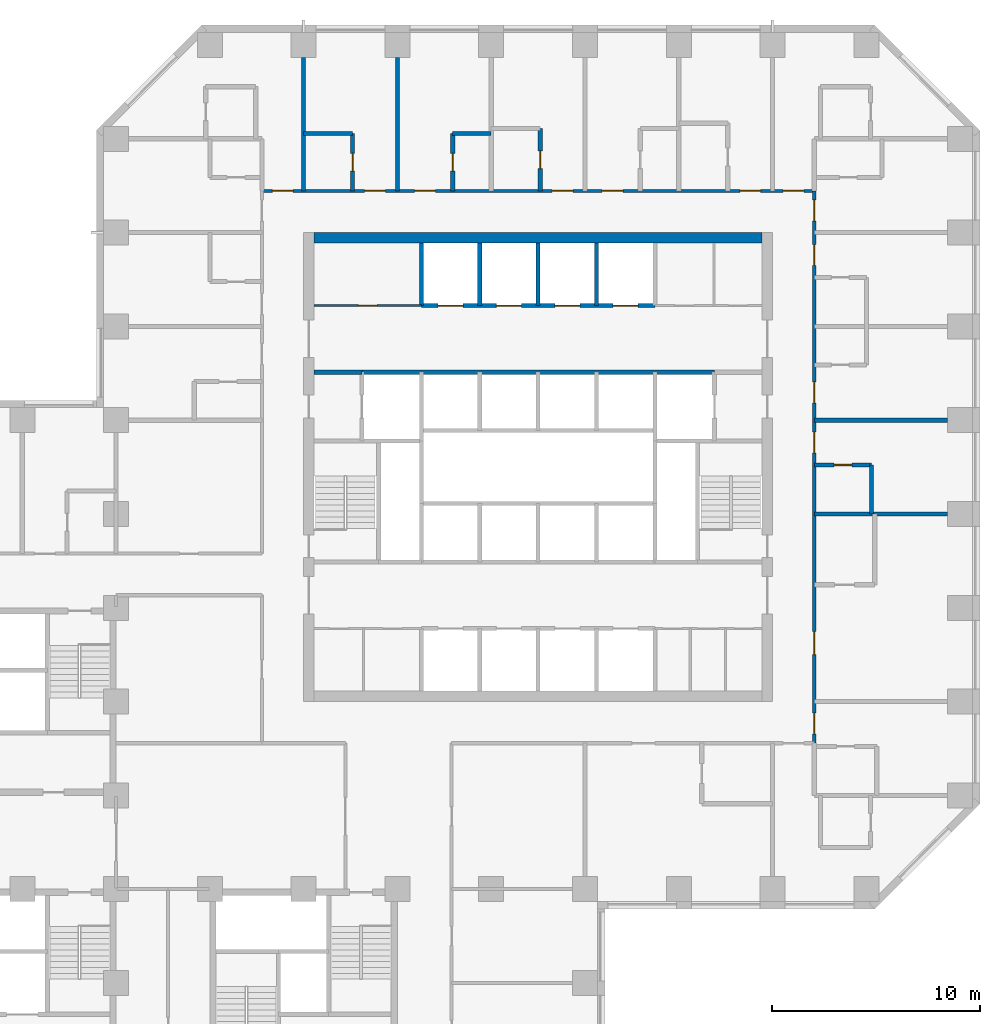
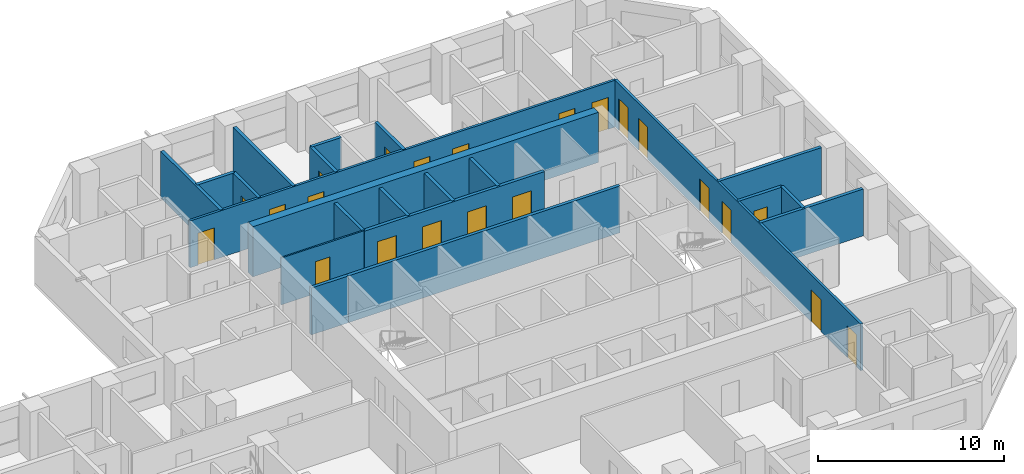
# One storey, part 9 of 13: 22 doors, 22 walls, 22 openings.
"""IFC4 building model written with IfcOpenShell, lengths in metres."""

from ifc_helpers import new_model, si_unit, direction, frame, frame_2d, origin, place, context, subcontext, project, spatial, rectangle, extrude, material, layer, layer_set, type_object, element, fill, save


model = new_model("IFC4")

# Units and contexts
model_context = context("Model", 3, precision=1e-05, world=origin(), true_north=direction((0.0, 1.0)))
body_context = subcontext(model_context, "Body", "Model", "MODEL_VIEW")
ifc_project = project(units=[si_unit("LENGTHUNIT", "METRE"), si_unit("AREAUNIT", "SQUARE_METRE"), si_unit("VOLUMEUNIT", "CUBIC_METRE"), si_unit("PLANEANGLEUNIT", "RADIAN"), si_unit("MASSUNIT", "GRAM", prefix="KILO")], contexts=[model_context])

# Site, building, storey
site_placement = place(None, origin())
site = spatial("IfcSite", under=ifc_project, at=site_placement, CompositionType="ELEMENT")
building_placement = place(site_placement, origin())
building = spatial("IfcBuilding", under=site, at=building_placement, Name="Quoin Convention Tower", CompositionType="ELEMENT")
storey_placement = place(building_placement, frame((0.0, 0.0, 23.10009765625)))
storey = spatial("IfcBuildingStorey", under=building, at=storey_placement, Name="L04", CompositionType="ELEMENT", Elevation=23.10009765625)

# Wall, opening, door
ifc_material_1 = material(Name="Plasterboard")
ifc_layer_1 = layer(ifc_material_1, 0.012451171875, Name="Finish")
ifc_material_2 = material(Name="Steel stud framing", Category="steel")
ifc_layer_2 = layer(ifc_material_2, 0.074951171875, Name="Structure")
ifc_layer_3 = layer(ifc_material_1, 0.012451171875, Name="Finish")
ifc_layer_set_1 = layer_set([ifc_layer_1, ifc_layer_2, ifc_layer_3], Name="Steel stud framing")
wall_type_1 = type_object("IfcWallType", Name="Core partition wall", PredefinedType="PARTITIONING", material=ifc_layer_set_1)
wall_1_placement = place(storey_placement, frame((45.5, 68.5, 0.0), z_axis=(0.0, 0.0, 1.0), x_axis=(1.0, 0.0, 0.0)))
wall_1 = element("IfcWall", 1, at=wall_1_placement, inside=storey, type_object=wall_type_1, Name="cr-C1-L04-h19000_500", PredefinedType="PARTITIONING", context=body_context, shape_type="SweptSolid", body=[
    extrude(rectangle(XDim=5.14990234375, YDim=0.10009765625, at=frame_2d((2.574951171875, 0.0))), origin(), (0.0, 0.0, 1.0), 3.079833984375),
])
opening_1_placement = place(wall_1_placement, frame((2.125, 0.0, 0.0)))
opening_1 = element("IfcOpeningElement", 2, at=opening_1_placement, cuts=wall_1, Name="Opening DCV2-15", PredefinedType="OPENING", context=body_context, shape_type="SweptSolid", body=[
    extrude(rectangle(XDim=0.89990234375, YDim=2.10009765625, at=frame_2d((0.449951171875, 1.050048828125))), frame((0.0, 0.06005859375, 0.0), z_axis=(0.0, -1.0, 0.0), x_axis=(1.0, 0.0, 0.0)), (0.0, 0.0, 1.0), 0.1201171875),
])
ifc_material_3 = material(Name="Steel door leaf", Category="steel")
door_type_1 = type_object("IfcDoorType", Name="Core room door 900 x 2100", OperationType="SINGLE_SWING_LEFT", PredefinedType="DOOR", material=ifc_material_3)
door_1_placement = place(opening_1_placement, origin())
door_1 = element("IfcDoor", 3, at=door_1_placement, inside=storey, type_object=door_type_1, Name="cd-C1-L04-CNW0-lobB-CD0409", OperationType="SINGLE_SWING_RIGHT", OverallHeight=2.10009765625, OverallWidth=0.89990234375, PredefinedType="DOOR", context=body_context, shape_type="SweptSolid", body=[
    extrude(rectangle(XDim=0.89990234375, YDim=2.10009765625, at=frame_2d((0.449951171875, 1.050048828125))), frame((0.0, 0.02490234375, 0.0), z_axis=(0.0, -1.0, 0.0), x_axis=(1.0, 0.0, 0.0)), (0.0, 0.0, 1.0), 0.050048828125),
])
fill(opening_1, door_1)

# Walls
ifc_material_4 = material(Name="Concrete C50", Category="concrete")
ifc_layer_4 = layer(ifc_material_4, 0.199951171875)
ifc_layer_set_2 = layer_set([ifc_layer_4], Name="Concrete C50")
wall_type_2 = type_object("IfcWallType", Name="Core shaft wall", PredefinedType="SOLIDWALL", material=ifc_layer_set_2)
wall_2_placement = place(storey_placement, frame((45.5, 65.300048828125, 0.0), z_axis=(0.0, 0.0, 1.0), x_axis=(1.0, 0.0, 0.0)))
element("IfcWall", 4, at=wall_2_placement, inside=storey, type_object=wall_type_2, Name="cr-C1-L04-h15800_500", PredefinedType="SOLIDWALL", context=body_context, shape_type="SweptSolid", body=[
    extrude(rectangle(XDim=2.300048828125, YDim=0.199951171875, at=frame_2d((1.14990234375, 0.0))), origin(), (0.0, 0.0, 1.0), 3.079833984375),
])
wall_3_placement = place(storey_placement, frame((47.800048828125, 65.300048828125, 0.0), z_axis=(0.0, 0.0, 1.0), x_axis=(1.0, 0.0, 0.0)))
element("IfcWall", 5, at=wall_3_placement, inside=storey, type_object=wall_type_2, Name="cr-C1-L04-h15800_2800", PredefinedType="SOLIDWALL", context=body_context, shape_type="SweptSolid", body=[
    extrude(rectangle(XDim=16.89990234375, YDim=0.199951171875, at=frame_2d((8.449951171875, 0.0))), origin(), (0.0, 0.0, 1.0), 3.079833984375),
])

# Wall, openings, doors
wall_4_placement = place(storey_placement, frame((50.64990234375, 68.5, 0.0), z_axis=(0.0, 0.0, 1.0), x_axis=(1.0, 0.0, 0.0)))
wall_4 = element("IfcWall", 6, at=wall_4_placement, inside=storey, type_object=wall_type_2, Name="cr-C1-L04-h19000_5650", PredefinedType="SOLIDWALL", context=body_context, shape_type="SweptSolid", body=[
    extrude(rectangle(XDim=11.2001953125, YDim=0.199951171875, at=frame_2d((5.60009765625, 0.0))), origin(), (0.0, 0.0, 1.0), 3.079833984375),
])
opening_2_placement = place(wall_4_placement, frame((0.800048828125, 0.0, 0.0)))
opening_2 = element("IfcOpeningElement", 7, at=opening_2_placement, cuts=wall_4, Name="Opening LDL5", PredefinedType="OPENING", context=body_context, shape_type="SweptSolid", body=[
    extrude(rectangle(XDim=1.199951171875, YDim=2.10009765625, at=frame_2d((0.60009765625, 1.050048828125))), frame((0.0, 0.10986328125, 0.0), z_axis=(0.0, -1.0, 0.0), x_axis=(1.0, 0.0, 0.0)), (0.0, 0.0, 1.0), 0.219970703125),
])
opening_3_placement = place(wall_4_placement, frame((3.60009765625, 0.0, 0.0)))
opening_3 = element("IfcOpeningElement", 8, at=opening_3_placement, cuts=wall_4, Name="Opening LDL6", PredefinedType="OPENING", context=body_context, shape_type="SweptSolid", body=[
    extrude(rectangle(XDim=1.199951171875, YDim=2.10009765625, at=frame_2d((0.60009765625, 1.050048828125))), frame((0.0, 0.10986328125, 0.0), z_axis=(0.0, -1.0, 0.0), x_axis=(1.0, 0.0, 0.0)), (0.0, 0.0, 1.0), 0.219970703125),
])
opening_4_placement = place(wall_4_placement, frame((6.39990234375, 0.0, 0.0)))
opening_4 = element("IfcOpeningElement", 9, at=opening_4_placement, cuts=wall_4, Name="Opening LDL7", PredefinedType="OPENING", context=body_context, shape_type="SweptSolid", body=[
    extrude(rectangle(XDim=1.199951171875, YDim=2.10009765625, at=frame_2d((0.60009765625, 1.050048828125))), frame((0.0, 0.10986328125, 0.0), z_axis=(0.0, -1.0, 0.0), x_axis=(1.0, 0.0, 0.0)), (0.0, 0.0, 1.0), 0.219970703125),
])
opening_5_placement = place(wall_4_placement, frame((9.199951171875, 0.0, 0.0)))
opening_5 = element("IfcOpeningElement", 10, at=opening_5_placement, cuts=wall_4, Name="Opening LDL8", PredefinedType="OPENING", context=body_context, shape_type="SweptSolid", body=[
    extrude(rectangle(XDim=1.199951171875, YDim=2.10009765625, at=frame_2d((0.60009765625, 1.050048828125))), frame((0.0, 0.10986328125, 0.0), z_axis=(0.0, -1.0, 0.0), x_axis=(1.0, 0.0, 0.0)), (0.0, 0.0, 1.0), 0.219970703125),
])
door_type_2 = type_object("IfcDoorType", Name="Lift landing door 1200 x 2100", OperationType="DOUBLE_DOOR_SLIDING", PredefinedType="DOOR", material=ifc_material_3)
door_2_placement = place(opening_2_placement, origin())
door_2 = element("IfcDoor", 11, at=door_2_placement, inside=storey, type_object=door_type_2, Name="cd-C1-L04-R40-lobB-LDL5", OperationType="DOUBLE_DOOR_SLIDING", OverallHeight=2.10009765625, OverallWidth=1.199951171875, PredefinedType="DOOR", context=body_context, shape_type="SweptSolid", body=[
    extrude(rectangle(XDim=1.199951171875, YDim=2.10009765625, at=frame_2d((0.60009765625, 1.050048828125))), frame((0.0, 0.02490234375, 0.0), z_axis=(0.0, -1.0, 0.0), x_axis=(1.0, 0.0, 0.0)), (0.0, 0.0, 1.0), 0.050048828125),
])
fill(opening_2, door_2)
door_3_placement = place(opening_3_placement, origin())
door_3 = element("IfcDoor", 12, at=door_3_placement, inside=storey, type_object=door_type_2, Name="cd-C1-L04-R41-lobB-LDL6", OperationType="DOUBLE_DOOR_SLIDING", OverallHeight=2.10009765625, OverallWidth=1.199951171875, PredefinedType="DOOR", context=body_context, shape_type="SweptSolid", body=[
    extrude(rectangle(XDim=1.199951171875, YDim=2.10009765625, at=frame_2d((0.60009765625, 1.050048828125))), frame((0.0, 0.02490234375, 0.0), z_axis=(0.0, -1.0, 0.0), x_axis=(1.0, 0.0, 0.0)), (0.0, 0.0, 1.0), 0.050048828125),
])
fill(opening_3, door_3)
door_4_placement = place(opening_4_placement, origin())
door_4 = element("IfcDoor", 13, at=door_4_placement, inside=storey, type_object=door_type_2, Name="cd-C1-L04-R42-lobB-LDL7", OperationType="DOUBLE_DOOR_SLIDING", OverallHeight=2.10009765625, OverallWidth=1.199951171875, PredefinedType="DOOR", context=body_context, shape_type="SweptSolid", body=[
    extrude(rectangle(XDim=1.199951171875, YDim=2.10009765625, at=frame_2d((0.60009765625, 1.050048828125))), frame((0.0, 0.02490234375, 0.0), z_axis=(0.0, -1.0, 0.0), x_axis=(1.0, 0.0, 0.0)), (0.0, 0.0, 1.0), 0.050048828125),
])
fill(opening_4, door_4)
door_5_placement = place(opening_5_placement, origin())
door_5 = element("IfcDoor", 14, at=door_5_placement, inside=storey, type_object=door_type_2, Name="cd-C1-L04-R43-lobB-LDL8", OperationType="DOUBLE_DOOR_SLIDING", OverallHeight=2.10009765625, OverallWidth=1.199951171875, PredefinedType="DOOR", context=body_context, shape_type="SweptSolid", body=[
    extrude(rectangle(XDim=1.199951171875, YDim=2.10009765625, at=frame_2d((0.60009765625, 1.050048828125))), frame((0.0, 0.02490234375, 0.0), z_axis=(0.0, -1.0, 0.0), x_axis=(1.0, 0.0, 0.0)), (0.0, 0.0, 1.0), 0.050048828125),
])
fill(opening_5, door_5)

# Walls
for number, where, z_axis, x_axis, name in (
    (15, (50.64990234375, 68.5, 0.0), (0.0, 0.0, 1.0), (0.0, 1.0, 0.0), "cr-C1-L04-v5650_19000"),
    (16, (53.449951171875, 68.5, 0.0), (0.0, 0.0, 1.0), (0.0, 1.0, 0.0), "cr-C1-L04-v8450_19000"),
    (17, (56.25, 68.5, 0.0), (0.0, 0.0, 1.0), (0.0, 1.0, 0.0), "cr-C1-L04-v11250_19000"),
    (18, (59.050048828125, 68.5, 0.0), (0.0, 0.0, 1.0), (0.0, 1.0, 0.0), "cr-C1-L04-v14050_19000"),
):
    element("IfcWall", number, at=place(storey_placement, frame(where, z_axis=z_axis, x_axis=x_axis)), inside=storey, type_object=wall_type_2, Name=name, PredefinedType="SOLIDWALL", context=body_context, shape_type="SweptSolid", body=[
        extrude(rectangle(XDim=3.0, YDim=0.199951171875, at=frame_2d((1.5, 0.0))), origin(), (0.0, 0.0, 1.0), 3.079833984375),
    ])
ifc_material_5 = material(Name="Concrete C80", Category="concrete")
ifc_layer_5 = layer(ifc_material_5, 0.5)
ifc_layer_set_3 = layer_set([ifc_layer_5], Name="Concrete C80")
wall_type_3 = type_object("IfcWallType", Name="RC CORE WALL 500 C80", PredefinedType="SHEAR", material=ifc_layer_set_3)
wall_5_placement = place(storey_placement, frame((45.5, 71.75, 0.0), z_axis=(0.0, 0.0, 1.0), x_axis=(1.0, 0.0, 0.0)))
element("IfcWall", 19, at=wall_5_placement, inside=storey, type_object=wall_type_3, Name="cwl-C1-L04-N", PredefinedType="SHEAR", context=body_context, shape_type="SweptSolid", body=[
    extrude(rectangle(XDim=21.5, YDim=0.5, at=frame_2d((10.75, 0.0))), origin(), (0.0, 0.0, 1.0), 3.2998046875),
])
ifc_layer_6 = layer(ifc_material_4, 0.199951171875)
ifc_layer_set_4 = layer_set([ifc_layer_6], Name="Concrete C50")
wall_type_4 = type_object("IfcWallType", Name="RC party wall", PredefinedType="SOLIDWALL", material=ifc_layer_set_4)
wall_6_placement = place(storey_placement, frame((69.5, 58.5, 0.0), z_axis=(0.0, 0.0, 1.0), x_axis=(1.0, 0.0, 0.0)))
element("IfcWall", 20, at=wall_6_placement, inside=storey, type_object=wall_type_4, Name="pw-L04-091", PredefinedType="SOLIDWALL", context=body_context, shape_type="SweptSolid", body=[
    extrude(rectangle(XDim=6.39990234375, YDim=0.199951171875, at=frame_2d((3.199951171875, 0.0))), origin(), (0.0, 0.0, 1.0), 3.079833984375),
])
wall_7_placement = place(storey_placement, frame((72.25, 58.5, 0.0), z_axis=(0.0, 0.0, 1.0), x_axis=(0.0, 1.0, 0.0)))
element("IfcWall", 21, at=wall_7_placement, inside=storey, type_object=wall_type_4, Name="pw-L04-092", PredefinedType="SOLIDWALL", context=body_context, shape_type="SweptSolid", body=[
    extrude(rectangle(XDim=2.35009765625, YDim=0.199951171875, at=frame_2d((1.175048828125, 0.0))), origin(), (0.0, 0.0, 1.0), 3.079833984375),
])

# Wall, opening, door
wall_8_placement = place(storey_placement, frame((69.5, 60.85009765625, 0.0), z_axis=(0.0, 0.0, 1.0), x_axis=(1.0, 0.0, 0.0)))
wall_8 = element("IfcWall", 22, at=wall_8_placement, inside=storey, type_object=wall_type_4, Name="pw-L04-096", PredefinedType="SOLIDWALL", context=body_context, shape_type="SweptSolid", body=[
    extrude(rectangle(XDim=2.75, YDim=0.199951171875, at=frame_2d((1.375, 0.0))), origin(), (0.0, 0.0, 1.0), 3.079833984375),
])
opening_6_placement = place(wall_8_placement, frame((0.949951171875, 0.0, 0.0)))
opening_6 = element("IfcOpeningElement", 23, at=opening_6_placement, cuts=wall_8, Name="Opening DHOTEL-M-60", PredefinedType="OPENING", context=body_context, shape_type="SweptSolid", body=[
    extrude(rectangle(XDim=0.85009765625, YDim=2.10009765625, at=frame_2d((0.425048828125, 1.050048828125))), frame((0.0, 0.10986328125, 0.0), z_axis=(0.0, -1.0, 0.0), x_axis=(1.0, 0.0, 0.0)), (0.0, 0.0, 1.0), 0.219970703125),
])
door_type_3 = type_object("IfcDoorType", Name="Bathroom door", OperationType="SINGLE_SWING_LEFT", PredefinedType="DOOR", material=ifc_material_3)
door_6_placement = place(opening_6_placement, origin())
door_6 = element("IfcDoor", 24, at=door_6_placement, inside=storey, type_object=door_type_3, Name="dr-L04-054", OperationType="SINGLE_SWING_LEFT", OverallHeight=2.10009765625, OverallWidth=0.85009765625, PredefinedType="DOOR", context=body_context, shape_type="SweptSolid", body=[
    extrude(rectangle(XDim=0.85009765625, YDim=2.10009765625, at=frame_2d((0.425048828125, 1.050048828125))), frame((0.0, 0.02490234375, 0.0), z_axis=(0.0, -1.0, 0.0), x_axis=(1.0, 0.0, 0.0)), (0.0, 0.0, 1.0), 0.050048828125),
])
fill(opening_6, door_6)

# Walls
for number, where, z_axis, x_axis, name in (
    (25, (69.5, 63.0, 0.0), (0.0, 0.0, 1.0), (1.0, 0.0, 0.0), "pw-L04-099"),
    (26, (45.0, 74.0, 0.0), (0.0, 0.0, 1.0), (0.0, 1.0, 0.0), "pw-L04-111"),
):
    element("IfcWall", number, at=place(storey_placement, frame(where, z_axis=z_axis, x_axis=x_axis)), inside=storey, type_object=wall_type_4, Name=name, PredefinedType="SOLIDWALL", context=body_context, shape_type="SweptSolid", body=[
        extrude(rectangle(XDim=6.39990234375, YDim=0.199951171875, at=frame_2d((3.199951171875, 0.0))), origin(), (0.0, 0.0, 1.0), 3.079833984375),
    ])

# Wall, opening, door
wall_9_placement = place(storey_placement, frame((47.35009765625, 74.0, 0.0), z_axis=(0.0, 0.0, 1.0), x_axis=(0.0, 1.0, 0.0)))
wall_9 = element("IfcWall", 27, at=wall_9_placement, inside=storey, type_object=wall_type_4, Name="pw-L04-112", PredefinedType="SOLIDWALL", context=body_context, shape_type="SweptSolid", body=[
    extrude(rectangle(XDim=2.75, YDim=0.199951171875, at=frame_2d((1.375, 0.0))), origin(), (0.0, 0.0, 1.0), 3.079833984375),
])
opening_7_placement = place(wall_9_placement, frame((0.949951171875, 0.0, 0.0)))
opening_7 = element("IfcOpeningElement", 28, at=opening_7_placement, cuts=wall_9, Name="Opening DHOTEL-M-65", PredefinedType="OPENING", context=body_context, shape_type="SweptSolid", body=[
    extrude(rectangle(XDim=0.85009765625, YDim=2.10009765625, at=frame_2d((0.425048828125, 1.050048828125))), frame((0.0, 0.10986328125, 0.0), z_axis=(0.0, -1.0, 0.0), x_axis=(1.0, 0.0, 0.0)), (0.0, 0.0, 1.0), 0.219970703125),
])
door_7_placement = place(opening_7_placement, frame((0.85009765625, 0.0, 0.0), z_axis=(0.0, 0.0, 1.0), x_axis=(-1.0, 0.0, 0.0)))
door_7 = element("IfcDoor", 29, at=door_7_placement, inside=storey, type_object=door_type_3, Name="dr-L04-038", OperationType="SINGLE_SWING_RIGHT", OverallHeight=2.10009765625, OverallWidth=0.85009765625, PredefinedType="DOOR", context=body_context, shape_type="SweptSolid", body=[
    extrude(rectangle(XDim=0.85009765625, YDim=2.10009765625, at=frame_2d((0.425048828125, 1.050048828125))), frame((0.0, 0.02490234375, 0.0), z_axis=(0.0, -1.0, 0.0), x_axis=(1.0, 0.0, 0.0)), (0.0, 0.0, 1.0), 0.050048828125),
])
fill(opening_7, door_7)

# Wall
wall_10_placement = place(storey_placement, frame((49.5, 74.0, 0.0), z_axis=(0.0, 0.0, 1.0), x_axis=(0.0, 1.0, 0.0)))
element("IfcWall", 30, at=wall_10_placement, inside=storey, type_object=wall_type_4, Name="pw-L04-113", PredefinedType="SOLIDWALL", context=body_context, shape_type="SweptSolid", body=[
    extrude(rectangle(XDim=6.39990234375, YDim=0.199951171875, at=frame_2d((3.199951171875, 0.0))), origin(), (0.0, 0.0, 1.0), 3.079833984375),
])

# Wall, opening, door
wall_11_placement = place(storey_placement, frame((52.14990234375, 74.0, 0.0), z_axis=(0.0, 0.0, 1.0), x_axis=(0.0, 1.0, 0.0)))
wall_11 = element("IfcWall", 31, at=wall_11_placement, inside=storey, type_object=wall_type_4, Name="pw-L04-114", PredefinedType="SOLIDWALL", context=body_context, shape_type="SweptSolid", body=[
    extrude(rectangle(XDim=2.75, YDim=0.199951171875, at=frame_2d((1.375, 0.0))), origin(), (0.0, 0.0, 1.0), 3.079833984375),
])
opening_8_placement = place(wall_11_placement, frame((0.949951171875, 0.0, 0.0)))
opening_8 = element("IfcOpeningElement", 32, at=opening_8_placement, cuts=wall_11, Name="Opening DHOTEL-M-66", PredefinedType="OPENING", context=body_context, shape_type="SweptSolid", body=[
    extrude(rectangle(XDim=0.85009765625, YDim=2.10009765625, at=frame_2d((0.425048828125, 1.050048828125))), frame((0.0, 0.10986328125, 0.0), z_axis=(0.0, -1.0, 0.0), x_axis=(1.0, 0.0, 0.0)), (0.0, 0.0, 1.0), 0.219970703125),
])
door_8_placement = place(opening_8_placement, origin())
door_8 = element("IfcDoor", 33, at=door_8_placement, inside=storey, type_object=door_type_3, Name="dr-L04-040", OperationType="SINGLE_SWING_LEFT", OverallHeight=2.10009765625, OverallWidth=0.85009765625, PredefinedType="DOOR", context=body_context, shape_type="SweptSolid", body=[
    extrude(rectangle(XDim=0.85009765625, YDim=2.10009765625, at=frame_2d((0.425048828125, 1.050048828125))), frame((0.0, 0.02490234375, 0.0), z_axis=(0.0, -1.0, 0.0), x_axis=(1.0, 0.0, 0.0)), (0.0, 0.0, 1.0), 0.050048828125),
])
fill(opening_8, door_8)

wall_12_placement = place(storey_placement, frame((56.35009765625, 74.0, 0.0), z_axis=(0.0, 0.0, 1.0), x_axis=(0.0, 1.0, 0.0)))
wall_12 = element("IfcWall", 34, at=wall_12_placement, inside=storey, type_object=wall_type_4, Name="pw-L04-116", PredefinedType="SOLIDWALL", context=body_context, shape_type="SweptSolid", body=[
    extrude(rectangle(XDim=3.0, YDim=0.199951171875, at=frame_2d((1.5, 0.0))), origin(), (0.0, 0.0, 1.0), 3.079833984375),
])
opening_9_placement = place(wall_12_placement, frame((1.074951171875, 0.0, 0.0)))
opening_9 = element("IfcOpeningElement", 35, at=opening_9_placement, cuts=wall_12, Name="Opening DHOTEL-M-67", PredefinedType="OPENING", context=body_context, shape_type="SweptSolid", body=[
    extrude(rectangle(XDim=0.85009765625, YDim=2.10009765625, at=frame_2d((0.425048828125, 1.050048828125))), frame((0.0, 0.10986328125, 0.0), z_axis=(0.0, -1.0, 0.0), x_axis=(1.0, 0.0, 0.0)), (0.0, 0.0, 1.0), 0.219970703125),
])
door_9_placement = place(opening_9_placement, frame((0.85009765625, 0.0, 0.0), z_axis=(0.0, 0.0, 1.0), x_axis=(-1.0, 0.0, 0.0)))
door_9 = element("IfcDoor", 36, at=door_9_placement, inside=storey, type_object=door_type_3, Name="dr-L04-042", OperationType="SINGLE_SWING_RIGHT", OverallHeight=2.10009765625, OverallWidth=0.85009765625, PredefinedType="DOOR", context=body_context, shape_type="SweptSolid", body=[
    extrude(rectangle(XDim=0.85009765625, YDim=2.10009765625, at=frame_2d((0.425048828125, 1.050048828125))), frame((0.0, 0.02490234375, 0.0), z_axis=(0.0, -1.0, 0.0), x_axis=(1.0, 0.0, 0.0)), (0.0, 0.0, 1.0), 0.050048828125),
])
fill(opening_9, door_9)

# Walls
wall_13_placement = place(storey_placement, frame((45.0, 76.75, 0.0), z_axis=(0.0, 0.0, 1.0), x_axis=(1.0, 0.0, 0.0)))
element("IfcWall", 37, at=wall_13_placement, inside=storey, type_object=wall_type_4, Name="pw-L04-133", PredefinedType="SOLIDWALL", context=body_context, shape_type="SweptSolid", body=[
    extrude(rectangle(XDim=2.35009765625, YDim=0.199951171875, at=frame_2d((1.175048828125, 0.0))), origin(), (0.0, 0.0, 1.0), 3.079833984375),
])
wall_14_placement = place(storey_placement, frame((52.14990234375, 76.75, 0.0), z_axis=(0.0, 0.0, 1.0), x_axis=(1.0, 0.0, 0.0)))
element("IfcWall", 38, at=wall_14_placement, inside=storey, type_object=wall_type_4, Name="pw-L04-134", PredefinedType="SOLIDWALL", context=body_context, shape_type="SweptSolid", body=[
    extrude(rectangle(XDim=1.85009765625, YDim=0.199951171875, at=frame_2d((0.925048828125, 0.0))), origin(), (0.0, 0.0, 1.0), 3.079833984375),
])

# Wall, openings, doors
ifc_layer_7 = layer(ifc_material_1, 0.012451171875, Name="Finish")
ifc_layer_8 = layer(ifc_material_2, 0.125, Name="Structure")
ifc_layer_9 = layer(ifc_material_1, 0.012451171875, Name="Finish")
ifc_layer_set_5 = layer_set([ifc_layer_7, ifc_layer_8, ifc_layer_9], Name="Steel stud framing")
wall_type_5 = type_object("IfcWallType", Name="corridor partition", PredefinedType="PARTITIONING", material=ifc_layer_set_5)
wall_15_placement = place(storey_placement, frame((69.5, 47.5, 0.0), z_axis=(0.0, 0.0, 1.0), x_axis=(0.0, 1.0, 0.0)))
wall_15 = element("IfcWall", 39, at=wall_15_placement, inside=storey, type_object=wall_type_5, Name="pw-L04-030", PredefinedType="PARTITIONING", context=body_context, shape_type="SweptSolid", body=[
    extrude(rectangle(XDim=26.5, YDim=0.14990234375, at=frame_2d((13.25, 0.0))), origin(), (0.0, 0.0, 1.0), 3.079833984375),
])
opening_10_placement = place(wall_15_placement, frame((25.052978515625, 0.0, 0.0)))
opening_10 = element("IfcOpeningElement", 40, at=opening_10_placement, cuts=wall_15, Name="Opening DHOTEL-M-36", PredefinedType="OPENING", context=body_context, shape_type="SweptSolid", body=[
    extrude(rectangle(XDim=1.0, YDim=2.10009765625, at=frame_2d((0.5, 1.050048828125))), frame((0.0, 0.0849609375, 0.0), z_axis=(0.0, -1.0, 0.0), x_axis=(1.0, 0.0, 0.0)), (0.0, 0.0, 1.0), 0.169921875),
])
opening_11_placement = place(wall_15_placement, frame((22.925048828125, 0.0, 0.0)))
opening_11 = element("IfcOpeningElement", 41, at=opening_11_placement, cuts=wall_15, Name="Opening DHOTEL-M-35", PredefinedType="OPENING", context=body_context, shape_type="SweptSolid", body=[
    extrude(rectangle(XDim=1.0, YDim=2.10009765625, at=frame_2d((0.5, 1.050048828125))), frame((0.0, 0.0849609375, 0.0), z_axis=(0.0, -1.0, 0.0), x_axis=(1.0, 0.0, 0.0)), (0.0, 0.0, 1.0), 0.169921875),
])
opening_12_placement = place(wall_15_placement, frame((16.324951171875, 0.0, 0.0)))
opening_12 = element("IfcOpeningElement", 42, at=opening_12_placement, cuts=wall_15, Name="Opening DHOTEL-M-34", PredefinedType="OPENING", context=body_context, shape_type="SweptSolid", body=[
    extrude(rectangle(XDim=1.0, YDim=2.10009765625, at=frame_2d((0.5, 1.050048828125))), frame((0.0, 0.0849609375, 0.0), z_axis=(0.0, -1.0, 0.0), x_axis=(1.0, 0.0, 0.0)), (0.0, 0.0, 1.0), 0.169921875),
])
opening_13_placement = place(wall_15_placement, frame((13.925048828125, 0.0, 0.0)))
opening_13 = element("IfcOpeningElement", 43, at=opening_13_placement, cuts=wall_15, Name="Opening DHOTEL-M-33", PredefinedType="OPENING", context=body_context, shape_type="SweptSolid", body=[
    extrude(rectangle(XDim=1.0, YDim=2.10009765625, at=frame_2d((0.5, 1.050048828125))), frame((0.0, 0.0849609375, 0.0), z_axis=(0.0, -1.0, 0.0), x_axis=(1.0, 0.0, 0.0)), (0.0, 0.0, 1.0), 0.169921875),
])
opening_14_placement = place(wall_15_placement, frame((4.25, 0.0, 0.0)))
opening_14 = element("IfcOpeningElement", 44, at=opening_14_placement, cuts=wall_15, Name="Opening DHOTEL-M-32", PredefinedType="OPENING", context=body_context, shape_type="SweptSolid", body=[
    extrude(rectangle(XDim=1.10009765625, YDim=2.10009765625, at=frame_2d((0.550048828125, 1.050048828125))), frame((0.0, 0.0849609375, 0.0), z_axis=(0.0, -1.0, 0.0), x_axis=(1.0, 0.0, 0.0)), (0.0, 0.0, 1.0), 0.169921875),
])
opening_15_placement = place(wall_15_placement, frame((0.447021484375, 0.0, 0.0)))
opening_15 = element("IfcOpeningElement", 45, at=opening_15_placement, cuts=wall_15, Name="Opening DHOTEL-M-31", PredefinedType="OPENING", context=body_context, shape_type="SweptSolid", body=[
    extrude(rectangle(XDim=1.0, YDim=2.10009765625, at=frame_2d((0.5, 1.050048828125))), frame((0.0, 0.0849609375, 0.0), z_axis=(0.0, -1.0, 0.0), x_axis=(1.0, 0.0, 0.0)), (0.0, 0.0, 1.0), 0.169921875),
])
door_type_4 = type_object("IfcDoorType", Name="Accessible room door", OperationType="SINGLE_SWING_LEFT", PredefinedType="DOOR", material=ifc_material_3)
door_10_placement = place(opening_14_placement, frame((1.10009765625, 0.0, 0.0), z_axis=(0.0, 0.0, 1.0), x_axis=(-1.0, 0.0, 0.0)))
door_10 = element("IfcDoor", 46, at=door_10_placement, inside=storey, type_object=door_type_4, Name="dr-L04-055", OperationType="SINGLE_SWING_LEFT", OverallHeight=2.10009765625, OverallWidth=1.10009765625, PredefinedType="DOOR", context=body_context, shape_type="SweptSolid", body=[
    extrude(rectangle(XDim=1.10009765625, YDim=2.10009765625, at=frame_2d((0.550048828125, 1.050048828125))), frame((0.0, 0.02490234375, 0.0), z_axis=(0.0, -1.0, 0.0), x_axis=(1.0, 0.0, 0.0)), (0.0, 0.0, 1.0), 0.050048828125),
])
fill(opening_14, door_10)
door_type_5 = type_object("IfcDoorType", Name="Hotel room door", OperationType="SINGLE_SWING_LEFT", PredefinedType="DOOR", material=ifc_material_3)
door_11_placement = place(opening_10_placement, frame((1.0, 0.0, 0.0), z_axis=(0.0, 0.0, 1.0), x_axis=(-1.0, 0.0, 0.0)))
door_11 = element("IfcDoor", 47, at=door_11_placement, inside=storey, type_object=door_type_5, Name="dr-L04-047", OperationType="SINGLE_SWING_LEFT", OverallHeight=2.10009765625, OverallWidth=1.0, PredefinedType="DOOR", context=body_context, shape_type="SweptSolid", body=[
    extrude(rectangle(XDim=1.0, YDim=2.10009765625, at=frame_2d((0.5, 1.050048828125))), frame((0.0, 0.02490234375, 0.0), z_axis=(0.0, -1.0, 0.0), x_axis=(1.0, 0.0, 0.0)), (0.0, 0.0, 1.0), 0.050048828125),
])
fill(opening_10, door_11)
door_12_placement = place(opening_11_placement, frame((1.0, 0.0, 0.0), z_axis=(0.0, 0.0, 1.0), x_axis=(-1.0, 0.0, 0.0)))
door_12 = element("IfcDoor", 48, at=door_12_placement, inside=storey, type_object=door_type_5, Name="dr-L04-049", OperationType="SINGLE_SWING_LEFT", OverallHeight=2.10009765625, OverallWidth=1.0, PredefinedType="DOOR", context=body_context, shape_type="SweptSolid", body=[
    extrude(rectangle(XDim=1.0, YDim=2.10009765625, at=frame_2d((0.5, 1.050048828125))), frame((0.0, 0.02490234375, 0.0), z_axis=(0.0, -1.0, 0.0), x_axis=(1.0, 0.0, 0.0)), (0.0, 0.0, 1.0), 0.050048828125),
])
fill(opening_11, door_12)
door_13_placement = place(opening_12_placement, frame((1.0, 0.0, 0.0), z_axis=(0.0, 0.0, 1.0), x_axis=(-1.0, 0.0, 0.0)))
door_13 = element("IfcDoor", 49, at=door_13_placement, inside=storey, type_object=door_type_5, Name="dr-L04-051", OperationType="SINGLE_SWING_LEFT", OverallHeight=2.10009765625, OverallWidth=1.0, PredefinedType="DOOR", context=body_context, shape_type="SweptSolid", body=[
    extrude(rectangle(XDim=1.0, YDim=2.10009765625, at=frame_2d((0.5, 1.050048828125))), frame((0.0, 0.02490234375, 0.0), z_axis=(0.0, -1.0, 0.0), x_axis=(1.0, 0.0, 0.0)), (0.0, 0.0, 1.0), 0.050048828125),
])
fill(opening_12, door_13)
door_14_placement = place(opening_13_placement, frame((1.0, 0.0, 0.0), z_axis=(0.0, 0.0, 1.0), x_axis=(-1.0, 0.0, 0.0)))
door_14 = element("IfcDoor", 50, at=door_14_placement, inside=storey, type_object=door_type_5, Name="dr-L04-053", OperationType="SINGLE_SWING_LEFT", OverallHeight=2.10009765625, OverallWidth=1.0, PredefinedType="DOOR", context=body_context, shape_type="SweptSolid", body=[
    extrude(rectangle(XDim=1.0, YDim=2.10009765625, at=frame_2d((0.5, 1.050048828125))), frame((0.0, 0.02490234375, 0.0), z_axis=(0.0, -1.0, 0.0), x_axis=(1.0, 0.0, 0.0)), (0.0, 0.0, 1.0), 0.050048828125),
])
fill(opening_13, door_14)
door_15_placement = place(opening_15_placement, frame((1.0, 0.0, 0.0), z_axis=(0.0, 0.0, 1.0), x_axis=(-1.0, 0.0, 0.0)))
door_15 = element("IfcDoor", 51, at=door_15_placement, inside=storey, type_object=door_type_5, Name="dr-L04-057", OperationType="SINGLE_SWING_LEFT", OverallHeight=2.10009765625, OverallWidth=1.0, PredefinedType="DOOR", context=body_context, shape_type="SweptSolid", body=[
    extrude(rectangle(XDim=1.0, YDim=2.10009765625, at=frame_2d((0.5, 1.050048828125))), frame((0.0, 0.02490234375, 0.0), z_axis=(0.0, -1.0, 0.0), x_axis=(1.0, 0.0, 0.0)), (0.0, 0.0, 1.0), 0.050048828125),
])
fill(opening_15, door_15)

wall_16_placement = place(storey_placement, frame((43.0, 74.0, 0.0), z_axis=(0.0, 0.0, 1.0), x_axis=(1.0, 0.0, 0.0)))
wall_16 = element("IfcWall", 52, at=wall_16_placement, inside=storey, type_object=wall_type_5, Name="pw-L04-037", PredefinedType="PARTITIONING", context=body_context, shape_type="SweptSolid", body=[
    extrude(rectangle(XDim=26.5, YDim=0.14990234375, at=frame_2d((13.25, 0.0))), origin(), (0.0, 0.0, 1.0), 3.079833984375),
])
opening_16_placement = place(wall_16_placement, frame((4.925048828125, 0.0, 0.0)))
opening_16 = element("IfcOpeningElement", 53, at=opening_16_placement, cuts=wall_16, Name="Opening DHOTEL-M-43", PredefinedType="OPENING", context=body_context, shape_type="SweptSolid", body=[
    extrude(rectangle(XDim=1.0, YDim=2.10009765625, at=frame_2d((0.5, 1.050048828125))), frame((0.0, 0.0849609375, 0.0), z_axis=(0.0, -1.0, 0.0), x_axis=(1.0, 0.0, 0.0)), (0.0, 0.0, 1.0), 0.169921875),
])
opening_17_placement = place(wall_16_placement, frame((7.324951171875, 0.0, 0.0)))
opening_17 = element("IfcOpeningElement", 54, at=opening_17_placement, cuts=wall_16, Name="Opening DHOTEL-M-44", PredefinedType="OPENING", context=body_context, shape_type="SweptSolid", body=[
    extrude(rectangle(XDim=1.0, YDim=2.10009765625, at=frame_2d((0.5, 1.050048828125))), frame((0.0, 0.0849609375, 0.0), z_axis=(0.0, -1.0, 0.0), x_axis=(1.0, 0.0, 0.0)), (0.0, 0.0, 1.0), 0.169921875),
])
opening_18_placement = place(wall_16_placement, frame((13.925048828125, 0.0, 0.0)))
opening_18 = element("IfcOpeningElement", 55, at=opening_18_placement, cuts=wall_16, Name="Opening DHOTEL-M-45", PredefinedType="OPENING", context=body_context, shape_type="SweptSolid", body=[
    extrude(rectangle(XDim=1.0, YDim=2.10009765625, at=frame_2d((0.5, 1.050048828125))), frame((0.0, 0.0849609375, 0.0), z_axis=(0.0, -1.0, 0.0), x_axis=(1.0, 0.0, 0.0)), (0.0, 0.0, 1.0), 0.169921875),
])
opening_19_placement = place(wall_16_placement, frame((16.324951171875, 0.0, 0.0)))
opening_19 = element("IfcOpeningElement", 56, at=opening_19_placement, cuts=wall_16, Name="Opening DHOTEL-M-46", PredefinedType="OPENING", context=body_context, shape_type="SweptSolid", body=[
    extrude(rectangle(XDim=1.0, YDim=2.10009765625, at=frame_2d((0.5, 1.050048828125))), frame((0.0, 0.0849609375, 0.0), z_axis=(0.0, -1.0, 0.0), x_axis=(1.0, 0.0, 0.0)), (0.0, 0.0, 1.0), 0.169921875),
])
opening_20_placement = place(wall_16_placement, frame((22.925048828125, 0.0, 0.0)))
opening_20 = element("IfcOpeningElement", 57, at=opening_20_placement, cuts=wall_16, Name="Opening DHOTEL-M-47", PredefinedType="OPENING", context=body_context, shape_type="SweptSolid", body=[
    extrude(rectangle(XDim=1.0, YDim=2.10009765625, at=frame_2d((0.5, 1.050048828125))), frame((0.0, 0.0849609375, 0.0), z_axis=(0.0, -1.0, 0.0), x_axis=(1.0, 0.0, 0.0)), (0.0, 0.0, 1.0), 0.169921875),
])
opening_21_placement = place(wall_16_placement, frame((0.5, 0.0, 0.0)))
opening_21 = element("IfcOpeningElement", 58, at=opening_21_placement, cuts=wall_16, Name="Opening DHOTEL-M-42", PredefinedType="OPENING", context=body_context, shape_type="SweptSolid", body=[
    extrude(rectangle(XDim=1.0, YDim=2.10009765625, at=frame_2d((0.5, 1.050048828125))), frame((0.0, 0.0849609375, 0.0), z_axis=(0.0, -1.0, 0.0), x_axis=(1.0, 0.0, 0.0)), (0.0, 0.0, 1.0), 0.169921875),
])
opening_22_placement = place(wall_16_placement, frame((25.0, 0.0, 0.0)))
opening_22 = element("IfcOpeningElement", 59, at=opening_22_placement, cuts=wall_16, Name="Opening DHOTEL-M-48", PredefinedType="OPENING", context=body_context, shape_type="SweptSolid", body=[
    extrude(rectangle(XDim=1.0, YDim=2.10009765625, at=frame_2d((0.5, 1.050048828125))), frame((0.0, 0.0849609375, 0.0), z_axis=(0.0, -1.0, 0.0), x_axis=(1.0, 0.0, 0.0)), (0.0, 0.0, 1.0), 0.169921875),
])
door_16_placement = place(opening_16_placement, origin())
door_16 = element("IfcDoor", 60, at=door_16_placement, inside=storey, type_object=door_type_5, Name="dr-L04-037", OperationType="SINGLE_SWING_RIGHT", OverallHeight=2.10009765625, OverallWidth=1.0, PredefinedType="DOOR", context=body_context, shape_type="SweptSolid", body=[
    extrude(rectangle(XDim=1.0, YDim=2.10009765625, at=frame_2d((0.5, 1.050048828125))), frame((0.0, 0.02490234375, 0.0), z_axis=(0.0, -1.0, 0.0), x_axis=(1.0, 0.0, 0.0)), (0.0, 0.0, 1.0), 0.050048828125),
])
fill(opening_16, door_16)
door_17_placement = place(opening_17_placement, origin())
door_17 = element("IfcDoor", 61, at=door_17_placement, inside=storey, type_object=door_type_5, Name="dr-L04-039", OperationType="SINGLE_SWING_RIGHT", OverallHeight=2.10009765625, OverallWidth=1.0, PredefinedType="DOOR", context=body_context, shape_type="SweptSolid", body=[
    extrude(rectangle(XDim=1.0, YDim=2.10009765625, at=frame_2d((0.5, 1.050048828125))), frame((0.0, 0.02490234375, 0.0), z_axis=(0.0, -1.0, 0.0), x_axis=(1.0, 0.0, 0.0)), (0.0, 0.0, 1.0), 0.050048828125),
])
fill(opening_17, door_17)
door_18_placement = place(opening_18_placement, origin())
door_18 = element("IfcDoor", 62, at=door_18_placement, inside=storey, type_object=door_type_5, Name="dr-L04-041", OperationType="SINGLE_SWING_RIGHT", OverallHeight=2.10009765625, OverallWidth=1.0, PredefinedType="DOOR", context=body_context, shape_type="SweptSolid", body=[
    extrude(rectangle(XDim=1.0, YDim=2.10009765625, at=frame_2d((0.5, 1.050048828125))), frame((0.0, 0.02490234375, 0.0), z_axis=(0.0, -1.0, 0.0), x_axis=(1.0, 0.0, 0.0)), (0.0, 0.0, 1.0), 0.050048828125),
])
fill(opening_18, door_18)
door_19_placement = place(opening_19_placement, origin())
door_19 = element("IfcDoor", 63, at=door_19_placement, inside=storey, type_object=door_type_5, Name="dr-L04-043", OperationType="SINGLE_SWING_RIGHT", OverallHeight=2.10009765625, OverallWidth=1.0, PredefinedType="DOOR", context=body_context, shape_type="SweptSolid", body=[
    extrude(rectangle(XDim=1.0, YDim=2.10009765625, at=frame_2d((0.5, 1.050048828125))), frame((0.0, 0.02490234375, 0.0), z_axis=(0.0, -1.0, 0.0), x_axis=(1.0, 0.0, 0.0)), (0.0, 0.0, 1.0), 0.050048828125),
])
fill(opening_19, door_19)
door_20_placement = place(opening_20_placement, origin())
door_20 = element("IfcDoor", 64, at=door_20_placement, inside=storey, type_object=door_type_5, Name="dr-L04-045", OperationType="SINGLE_SWING_RIGHT", OverallHeight=2.10009765625, OverallWidth=1.0, PredefinedType="DOOR", context=body_context, shape_type="SweptSolid", body=[
    extrude(rectangle(XDim=1.0, YDim=2.10009765625, at=frame_2d((0.5, 1.050048828125))), frame((0.0, 0.02490234375, 0.0), z_axis=(0.0, -1.0, 0.0), x_axis=(1.0, 0.0, 0.0)), (0.0, 0.0, 1.0), 0.050048828125),
])
fill(opening_20, door_20)
door_21_placement = place(opening_21_placement, origin())
door_21 = element("IfcDoor", 65, at=door_21_placement, inside=storey, type_object=door_type_5, Name="dr-L04-067", OperationType="SINGLE_SWING_RIGHT", OverallHeight=2.10009765625, OverallWidth=1.0, PredefinedType="DOOR", context=body_context, shape_type="SweptSolid", body=[
    extrude(rectangle(XDim=1.0, YDim=2.10009765625, at=frame_2d((0.5, 1.050048828125))), frame((0.0, 0.02490234375, 0.0), z_axis=(0.0, -1.0, 0.0), x_axis=(1.0, 0.0, 0.0)), (0.0, 0.0, 1.0), 0.050048828125),
])
fill(opening_21, door_21)
door_22_placement = place(opening_22_placement, origin())
door_22 = element("IfcDoor", 66, at=door_22_placement, inside=storey, type_object=door_type_5, Name="dr-L04-069", OperationType="SINGLE_SWING_RIGHT", OverallHeight=2.10009765625, OverallWidth=1.0, PredefinedType="DOOR", context=body_context, shape_type="SweptSolid", body=[
    extrude(rectangle(XDim=1.0, YDim=2.10009765625, at=frame_2d((0.5, 1.050048828125))), frame((0.0, 0.02490234375, 0.0), z_axis=(0.0, -1.0, 0.0), x_axis=(1.0, 0.0, 0.0)), (0.0, 0.0, 1.0), 0.050048828125),
])
fill(opening_22, door_22)

save(model, "model.ifc")
